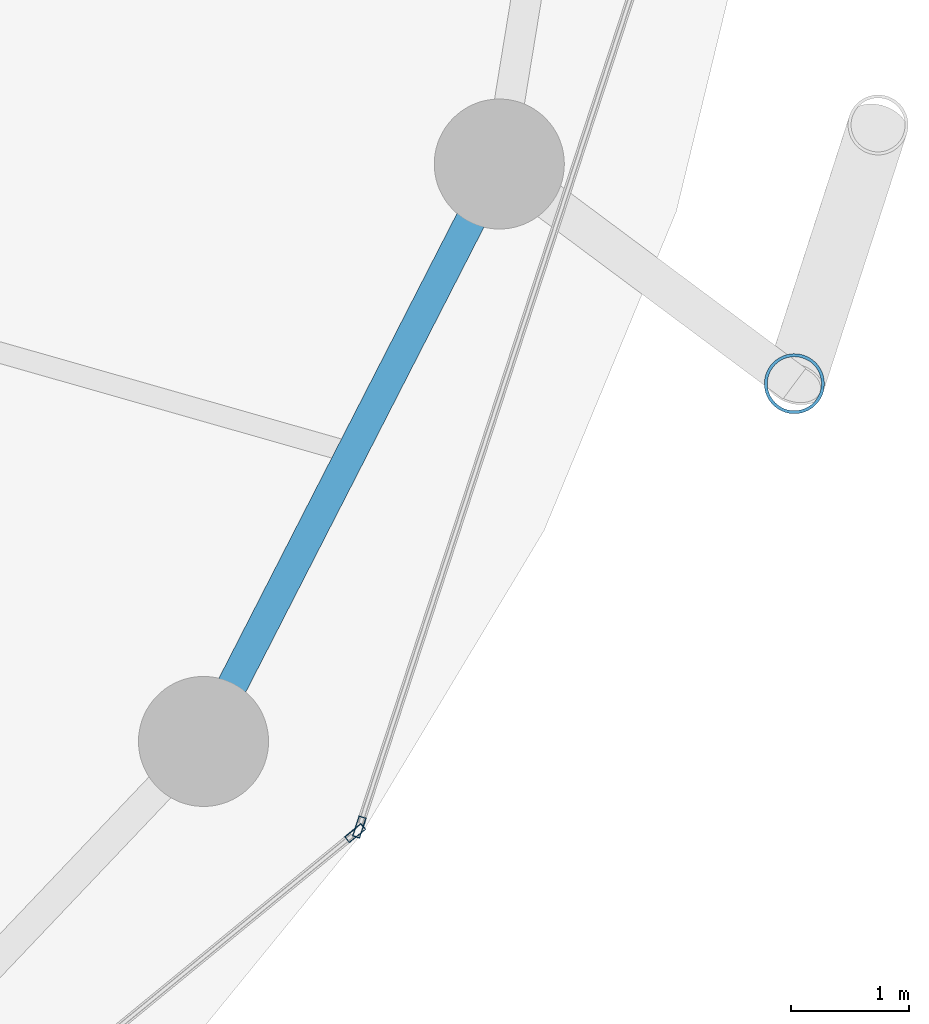
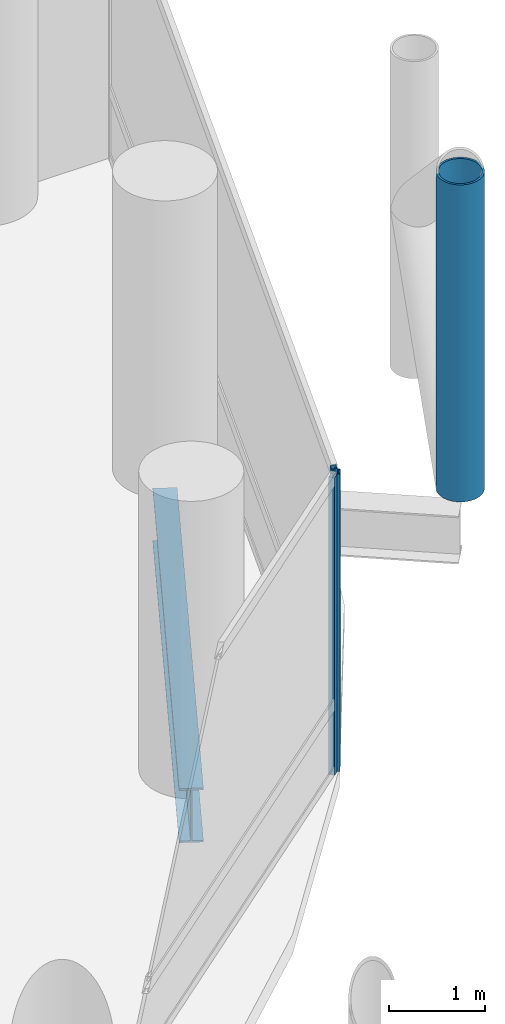
# One storey, part 10 of 25: 3 members, 1 beam, 2 elements without a shape of their own.
"""IFC4 building model written with IfcOpenShell, lengths in metres."""

from ifc_helpers import new_model, si_unit, direction, frame, origin, origin_2d, place, context, subcontext, project, spatial, hollow_rectangle, hollow_circle, i_section, extrude, material, layer, layer_set, material_profile, profile_set, type_object, element, aggregate, save


model = new_model("IFC4")

# Units and contexts
model_context = context("Model", 3, precision=1e-05, world=origin(), true_north=direction((0.0, 1.0)))
body_context = subcontext(model_context, "Body", "Model", "MODEL_VIEW")
ifc_project = project(units=[si_unit("LENGTHUNIT", "METRE"), si_unit("AREAUNIT", "SQUARE_METRE"), si_unit("VOLUMEUNIT", "CUBIC_METRE"), si_unit("PLANEANGLEUNIT", "RADIAN"), si_unit("MASSUNIT", "GRAM", prefix="KILO")], contexts=[model_context])

# Site, building, storey
site_placement = place(None, origin())
site = spatial("IfcSite", under=ifc_project, at=site_placement, CompositionType="ELEMENT")
building_placement = place(site_placement, origin())
building = spatial("IfcBuilding", under=site, at=building_placement, Name="Nuhasar Tower", CompositionType="ELEMENT")
storey_placement = place(building_placement, frame((0.0, 0.0, 57.449951171875)))
storey = spatial("IfcBuildingStorey", under=building, at=storey_placement, Name="L13", CompositionType="ELEMENT", Elevation=57.449951171875)

# Beam
ifc_material_1 = material(Name="Steel S355", Category="steel")
ifc_material_profile_1 = material_profile(ifc_material_1, i_section(OverallWidth=0.256103515625, OverallDepth=0.693115234375, WebThickness=0.014404296875, FlangeThickness=0.023681640625, at=origin_2d()), Name="W27X114")
ifc_profile_set_1 = profile_set([ifc_material_profile_1], Name="Steel S355")
beam_type = type_object("IfcBeamType", Name="BM-RING-W27X114", PredefinedType="SPANDREL", material=ifc_profile_set_1)
beam_placement = place(storey_placement, frame((60.694091796875, 16.675048828125, -0.595947265625), z_axis=(0.455930023905, 0.890015625314, 0.0), x_axis=(-0.890015625314, 0.455930023905, 0.0)))
element("IfcBeam", 1, at=beam_placement, inside=storey, type_object=beam_type, Name="L13 Perimeter Ring Spandrel 23", PredefinedType="SPANDREL", context=body_context, shape_type="SweptSolid", body=[
    extrude(i_section(OverallWidth=0.256103515625, OverallDepth=0.693115234375, WebThickness=0.014404296875, FlangeThickness=0.023681640625, at=origin_2d()), origin(), (0.0, 0.0, 1.0), 5.487548828125),
])

# Curtain wall, member
ifc_material_2 = material(Name="Aluminium 6063-T6", Category="aluminium")
ifc_layer = layer(ifc_material_2, 0.199951171875)
ifc_layer_set = layer_set([ifc_layer], Name="Aluminium 6063-T6")
curtain_wall_type = type_object("IfcCurtainWallType", Name="CW-Z1-OFF", PredefinedType="NOTDEFINED", material=ifc_layer_set)
curtain_wall_1_placement = place(storey_placement, origin())
curtain_wall_1 = element("IfcCurtainWall", 2, at=curtain_wall_1_placement, inside=storey, type_object=curtain_wall_type, Name="L13 Unitised Curtain Wall 11", PredefinedType="NOTDEFINED")
ifc_material_profile_2 = material_profile(ifc_material_2, hollow_rectangle(XDim=0.06494140625, YDim=0.179931640625, WallThickness=0.0048828125, at=origin_2d()), Name="CWM-2")
ifc_profile_set_2 = profile_set([ifc_material_profile_2], Name="Aluminium 6063-T6")
member_type_1 = type_object("IfcMemberType", Name="CW-MUL-S2", PredefinedType="MULLION", material=ifc_profile_set_2)
member_1_placement = place(storey_placement, frame((61.976806640625, 15.8994140625, 0.0), z_axis=(0.0, 0.0, 1.0), x_axis=(-0.633744593376, 0.773542364946, 0.0)))
member_1 = element("IfcMember", 3, at=member_1_placement, type_object=member_type_1, Name="CW-Z1 mullion 2", PredefinedType="MULLION", context=body_context, shape_type="SweptSolid", body=[
    extrude(hollow_rectangle(XDim=0.06494140625, YDim=0.179931640625, WallThickness=0.0048828125, at=origin_2d()), origin(), (0.0, 0.0, 1.0), 3.800048828125),
])
aggregate(curtain_wall_1, [member_1])

curtain_wall_2_placement = place(storey_placement, origin())
curtain_wall_2 = element("IfcCurtainWall", 4, at=curtain_wall_2_placement, inside=storey, type_object=curtain_wall_type, Name="L13 Unitised Curtain Wall 12", PredefinedType="NOTDEFINED")
member_2_placement = place(storey_placement, frame((62.01220703125, 15.950927734375, 0.0), z_axis=(0.0, 0.0, 1.0), x_axis=(-0.950467534571, 0.310823849997, 0.0)))
member_2 = element("IfcMember", 5, at=member_2_placement, type_object=member_type_1, Name="CW-Z1 mullion 1", PredefinedType="MULLION", context=body_context, shape_type="SweptSolid", body=[
    extrude(hollow_rectangle(XDim=0.06494140625, YDim=0.179931640625, WallThickness=0.0048828125, at=origin_2d()), origin(), (0.0, 0.0, 1.0), 3.800048828125),
])
aggregate(curtain_wall_2, [member_2])

# Member
ifc_material_3 = material(Name="Steel S460", Category="steel")
ifc_material_profile_3 = material_profile(ifc_material_3, hollow_circle(Radius=0.25390625, WallThickness=0.025390625, at=origin_2d()), Name="HSS508X25.4")
ifc_profile_set_3 = profile_set([ifc_material_profile_3], Name="Steel S460")
member_type_2 = type_object("IfcMemberType", Name="EXO-BRONZE-508", PredefinedType="BRACE", material=ifc_profile_set_3)
member_3_placement = place(storey_placement, frame((65.69189453125, 19.700927734375, 0.0), z_axis=(0.0, 0.0, 1.0), x_axis=(1.0, 0.0, 0.0)))
element("IfcMember", 6, at=member_3_placement, inside=storey, type_object=member_type_2, Name="L13 Exoskeleton Chord Column EC-12A", PredefinedType="BRACE", context=body_context, shape_type="SweptSolid", body=[
    extrude(hollow_circle(Radius=0.25390625, WallThickness=0.025390625, at=origin_2d()), origin(), (0.0, 0.0, 1.0), 4.050048828125),
])

save(model, "model.ifc")
